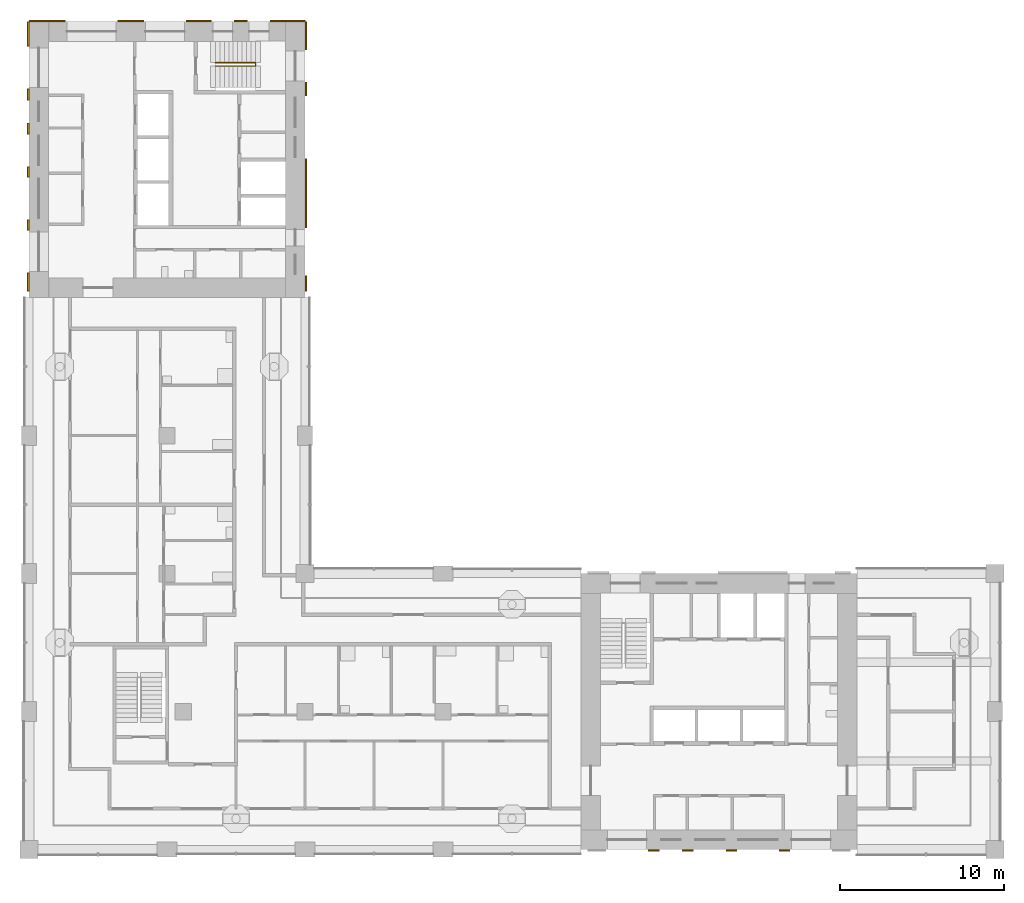
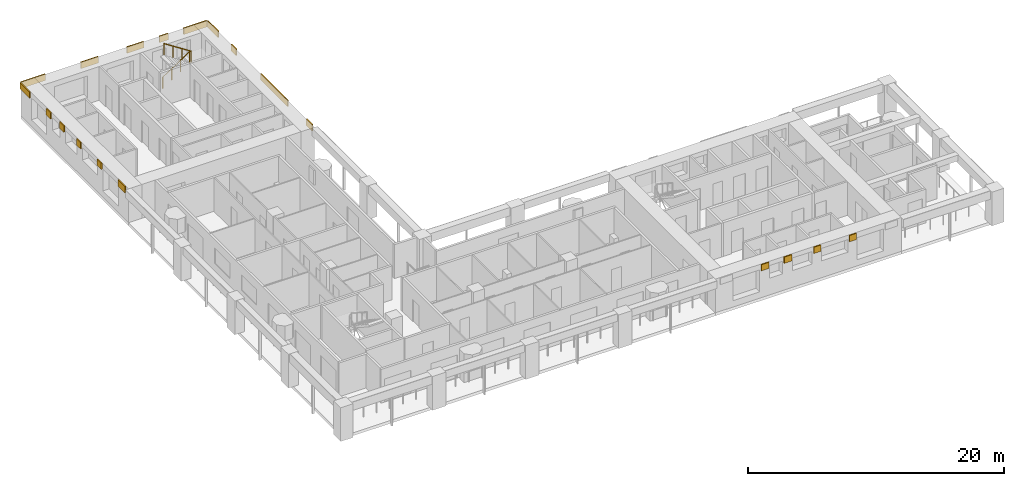
# One storey, part 10 of 13: 19 shading devices, 1 railing.
"""IFC4 building model written with IfcOpenShell, lengths in metres."""

from ifc_helpers import new_model, si_unit, direction, frame, origin, origin_2d, place, context, subcontext, project, spatial, rectangle, circle, extrude, material, layer, layer_set, type_object, element, save


model = new_model("IFC4")

# Units and contexts
model_context = context("Model", 3, precision=1e-05, world=origin(), true_north=direction((0.0, 1.0)))
body_context = subcontext(model_context, "Body", "Model", "MODEL_VIEW")
ifc_project = project(units=[si_unit("LENGTHUNIT", "METRE"), si_unit("AREAUNIT", "SQUARE_METRE"), si_unit("VOLUMEUNIT", "CUBIC_METRE"), si_unit("PLANEANGLEUNIT", "RADIAN"), si_unit("MASSUNIT", "GRAM", prefix="KILO")], contexts=[model_context])

# Site, building, storey
site_placement = place(None, origin())
site = spatial("IfcSite", under=ifc_project, at=site_placement, CompositionType="ELEMENT")
building_placement = place(site_placement, origin())
building = spatial("IfcBuilding", under=site, at=building_placement, Name="Vermilion Gate Residences", CompositionType="ELEMENT")
storey_placement = place(building_placement, frame((0.0, 0.0, 151.199951171875)))
storey = spatial("IfcBuildingStorey", under=building, at=storey_placement, Name="L38", CompositionType="ELEMENT", Elevation=151.199951171875)

# Railing
ifc_material_1 = material(Name="Steel S355", Category="steel")
railing_type = type_object("IfcRailingType", Name="STAIR GUARD 1100 STEEL", PredefinedType="GUARDRAIL", material=ifc_material_1)
railing_placement = place(storey_placement, frame((19.75, 56.300048828125, 0.175048828125)))
element("IfcRailing", 1, at=railing_placement, inside=storey, type_object=railing_type, Name="Stair well guard STB1-38", PredefinedType="GUARDRAIL", context=body_context, shape_type="SweptSolid", body=[
    extrude(circle(Radius=0.02392578125, at=origin_2d()), frame((0.0, 0.0, 1.076171875), z_axis=(0.839153699163, 0.0, 0.543894354798), x_axis=(0.0, 1.0, 0.0)), (0.0, 0.0, 1.0), 2.895751953125),
    extrude(circle(Radius=0.02392578125, at=origin_2d()), frame((2.429931640625, 0.0, 2.65087890625), z_axis=(0.0, -0.752405939678, 0.658699705433), x_axis=(1.0, 0.0, 0.0)), (0.0, 0.0, 1.0), 0.265869140625),
    extrude(circle(Radius=0.02392578125, at=origin_2d()), frame((2.429931640625, -0.199951171875, 2.826171875), z_axis=(-0.839153699163, 0.0, 0.543894354798), x_axis=(0.0, -1.0, 0.0)), (0.0, 0.0, 1.0), 2.895751953125),
    extrude(circle(Radius=0.02099609375, at=origin_2d()), origin(), (0.0, 0.0, 1.0), 1.052001953125),
    extrude(circle(Radius=0.02099609375, at=origin_2d()), frame((0.81005859375, 0.0, 0.52490234375)), (0.0, 0.0, 1.0), 1.052001953125),
    extrude(circle(Radius=0.02099609375, at=origin_2d()), frame((1.619873046875, 0.0, 1.050048828125)), (0.0, 0.0, 1.0), 1.052001953125),
    extrude(circle(Radius=0.02099609375, at=origin_2d()), frame((2.429931640625, 0.0, 1.574951171875)), (0.0, 0.0, 1.0), 1.052001953125),
    extrude(circle(Radius=0.02099609375, at=origin_2d()), frame((2.429931640625, -0.199951171875, 1.75)), (0.0, 0.0, 1.0), 1.052001953125),
    extrude(circle(Radius=0.02099609375, at=origin_2d()), frame((1.619873046875, -0.199951171875, 2.27490234375)), (0.0, 0.0, 1.0), 1.052001953125),
    extrude(circle(Radius=0.02099609375, at=origin_2d()), frame((0.81005859375, -0.199951171875, 2.800048828125)), (0.0, 0.0, 1.0), 1.052001953125),
    extrude(circle(Radius=0.02099609375, at=origin_2d()), frame((0.0, -0.199951171875, 3.324951171875)), (0.0, 0.0, 1.0), 1.052001953125),
])

# Shading devices
ifc_material_2 = material(Name="Extruded terracotta", Category="masonry")
ifc_layer = layer(ifc_material_2, 0.10009765625)
ifc_layer_set = layer_set([ifc_layer], Name="TERRACOTTA SPANDREL BAND 600 X 100")
shading_device_type = type_object("IfcShadingDeviceType", Name="TERRACOTTA SPANDREL BAND 600 X 100", PredefinedType="USERDEFINED", material=ifc_layer_set)
shading_device_1_placement = place(storey_placement, frame((46.4375, 8.35009765625, 2.6201171875), z_axis=(0.0, 0.0, 1.0), x_axis=(1.0, 0.0, 0.0)))
element("IfcShadingDevice", 2, at=shading_device_1_placement, inside=storey, type_object=shading_device_type, Name="SPANDREL BAND", ObjectType="BAND", PredefinedType="USERDEFINED", context=body_context, shape_type="SweptSolid", body=[
    extrude(rectangle(XDim=0.675048828125, YDim=0.10009765625, at=origin_2d()), origin(), (0.0, 0.0, 1.0), 0.60009765625),
])
shading_device_2_placement = place(storey_placement, frame((48.510009765625, 8.35009765625, 2.6201171875), z_axis=(0.0, 0.0, 1.0), x_axis=(1.0, 0.0, 0.0)))
element("IfcShadingDevice", 3, at=shading_device_2_placement, inside=storey, type_object=shading_device_type, Name="SPANDREL BAND", ObjectType="BAND", PredefinedType="USERDEFINED", context=body_context, shape_type="SweptSolid", body=[
    extrude(rectangle(XDim=0.669921875, YDim=0.10009765625, at=origin_2d()), origin(), (0.0, 0.0, 1.0), 0.60009765625),
])
shading_device_3_placement = place(storey_placement, frame((51.157470703125, 8.35009765625, 2.6201171875), z_axis=(0.0, 0.0, 1.0), x_axis=(1.0, 0.0, 0.0)))
element("IfcShadingDevice", 4, at=shading_device_3_placement, inside=storey, type_object=shading_device_type, Name="SPANDREL BAND", ObjectType="BAND", PredefinedType="USERDEFINED", context=body_context, shape_type="SweptSolid", body=[
    extrude(rectangle(XDim=0.625, YDim=0.10009765625, at=origin_2d()), origin(), (0.0, 0.0, 1.0), 0.60009765625),
])
shading_device_4_placement = place(storey_placement, frame((54.385009765625, 8.35009765625, 2.6201171875), z_axis=(0.0, 0.0, 1.0), x_axis=(1.0, 0.0, 0.0)))
element("IfcShadingDevice", 5, at=shading_device_4_placement, inside=storey, type_object=shading_device_type, Name="SPANDREL BAND", ObjectType="BAND", PredefinedType="USERDEFINED", context=body_context, shape_type="SweptSolid", body=[
    extrude(rectangle(XDim=0.6298828125, YDim=0.10009765625, at=origin_2d()), origin(), (0.0, 0.0, 1.0), 0.60009765625),
])
shading_device_5_placement = place(storey_placement, frame((9.50244140625, 58.85009765625, 2.6201171875), z_axis=(0.0, 0.0, 1.0), x_axis=(1.0, 0.0, 0.0)))
element("IfcShadingDevice", 6, at=shading_device_5_placement, inside=storey, type_object=shading_device_type, Name="SPANDREL BAND", ObjectType="BAND", PredefinedType="USERDEFINED", context=body_context, shape_type="SweptSolid", body=[
    extrude(rectangle(XDim=2.205078125, YDim=0.10009765625, at=origin_2d()), origin(), (0.0, 0.0, 1.0), 0.60009765625),
])
shading_device_6_placement = place(storey_placement, frame((14.590087890625, 58.85009765625, 2.6201171875), z_axis=(0.0, 0.0, 1.0), x_axis=(1.0, 0.0, 0.0)))
element("IfcShadingDevice", 7, at=shading_device_6_placement, inside=storey, type_object=shading_device_type, Name="SPANDREL BAND", ObjectType="BAND", PredefinedType="USERDEFINED", context=body_context, shape_type="SweptSolid", body=[
    extrude(rectangle(XDim=1.570068359375, YDim=0.10009765625, at=origin_2d()), origin(), (0.0, 0.0, 1.0), 0.60009765625),
])
shading_device_7_placement = place(storey_placement, frame((18.734130859375, 58.85009765625, 2.6201171875), z_axis=(0.0, 0.0, 1.0), x_axis=(1.0, 0.0, 0.0)))
element("IfcShadingDevice", 8, at=shading_device_7_placement, inside=storey, type_object=shading_device_type, Name="SPANDREL BAND", ObjectType="BAND", PredefinedType="USERDEFINED", context=body_context, shape_type="SweptSolid", body=[
    extrude(rectangle(XDim=1.518310546875, YDim=0.10009765625, at=origin_2d()), origin(), (0.0, 0.0, 1.0), 0.60009765625),
])
shading_device_8_placement = place(storey_placement, frame((21.294921875, 58.85009765625, 2.6201171875), z_axis=(0.0, 0.0, 1.0), x_axis=(1.0, 0.0, 0.0)))
element("IfcShadingDevice", 9, at=shading_device_8_placement, inside=storey, type_object=shading_device_type, Name="SPANDREL BAND", ObjectType="BAND", PredefinedType="USERDEFINED", context=body_context, shape_type="SweptSolid", body=[
    extrude(rectangle(XDim=0.803466796875, YDim=0.10009765625, at=origin_2d()), origin(), (0.0, 0.0, 1.0), 0.60009765625),
])
shading_device_9_placement = place(storey_placement, frame((24.1484375, 58.85009765625, 2.6201171875), z_axis=(0.0, 0.0, 1.0), x_axis=(1.0, 0.0, 0.0)))
element("IfcShadingDevice", 10, at=shading_device_9_placement, inside=storey, type_object=shading_device_type, Name="SPANDREL BAND", ObjectType="BAND", PredefinedType="USERDEFINED", context=body_context, shape_type="SweptSolid", body=[
    extrude(rectangle(XDim=2.103271484375, YDim=0.10009765625, at=origin_2d()), origin(), (0.0, 0.0, 1.0), 0.60009765625),
])
shading_device_10_placement = place(storey_placement, frame((8.35009765625, 42.949951171875, 2.6201171875), z_axis=(0.0, 0.0, 1.0), x_axis=(0.0, 1.0, 0.0)))
element("IfcShadingDevice", 11, at=shading_device_10_placement, inside=storey, type_object=shading_device_type, Name="SPANDREL BAND", ObjectType="BAND", PredefinedType="USERDEFINED", context=body_context, shape_type="SweptSolid", body=[
    extrude(rectangle(XDim=1.10009765625, YDim=0.10009765625, at=origin_2d()), origin(), (0.0, 0.0, 1.0), 0.60009765625),
])
shading_device_11_placement = place(storey_placement, frame((8.35009765625, 46.4150390625, 2.6201171875), z_axis=(0.0, 0.0, 1.0), x_axis=(0.0, 1.0, 0.0)))
element("IfcShadingDevice", 12, at=shading_device_11_placement, inside=storey, type_object=shading_device_type, Name="SPANDREL BAND", ObjectType="BAND", PredefinedType="USERDEFINED", context=body_context, shape_type="SweptSolid", body=[
    extrude(rectangle(XDim=0.6298828125, YDim=0.10009765625, at=origin_2d()), origin(), (0.0, 0.0, 1.0), 0.60009765625),
])
shading_device_12_placement = place(storey_placement, frame((8.35009765625, 49.642578125, 2.6201171875), z_axis=(0.0, 0.0, 1.0), x_axis=(0.0, 1.0, 0.0)))
element("IfcShadingDevice", 13, at=shading_device_12_placement, inside=storey, type_object=shading_device_type, Name="SPANDREL BAND", ObjectType="BAND", PredefinedType="USERDEFINED", context=body_context, shape_type="SweptSolid", body=[
    extrude(rectangle(XDim=0.625, YDim=0.10009765625, at=origin_2d()), origin(), (0.0, 0.0, 1.0), 0.60009765625),
])
shading_device_13_placement = place(storey_placement, frame((8.35009765625, 52.2900390625, 2.6201171875), z_axis=(0.0, 0.0, 1.0), x_axis=(0.0, 1.0, 0.0)))
element("IfcShadingDevice", 14, at=shading_device_13_placement, inside=storey, type_object=shading_device_type, Name="SPANDREL BAND", ObjectType="BAND", PredefinedType="USERDEFINED", context=body_context, shape_type="SweptSolid", body=[
    extrude(rectangle(XDim=0.669921875, YDim=0.10009765625, at=origin_2d()), origin(), (0.0, 0.0, 1.0), 0.60009765625),
])
shading_device_14_placement = place(storey_placement, frame((8.35009765625, 54.362548828125, 2.6201171875), z_axis=(0.0, 0.0, 1.0), x_axis=(0.0, 1.0, 0.0)))
element("IfcShadingDevice", 15, at=shading_device_14_placement, inside=storey, type_object=shading_device_type, Name="SPANDREL BAND", ObjectType="BAND", PredefinedType="USERDEFINED", context=body_context, shape_type="SweptSolid", body=[
    extrude(rectangle(XDim=0.675048828125, YDim=0.10009765625, at=origin_2d()), origin(), (0.0, 0.0, 1.0), 0.60009765625),
])
shading_device_15_placement = place(storey_placement, frame((8.35009765625, 58.050048828125, 2.6201171875), z_axis=(0.0, 0.0, 1.0), x_axis=(0.0, 1.0, 0.0)))
element("IfcShadingDevice", 16, at=shading_device_15_placement, inside=storey, type_object=shading_device_type, Name="SPANDREL BAND", ObjectType="BAND", PredefinedType="USERDEFINED", context=body_context, shape_type="SweptSolid", body=[
    extrude(rectangle(XDim=1.5, YDim=0.10009765625, at=origin_2d()), origin(), (0.0, 0.0, 1.0), 0.60009765625),
])
shading_device_16_placement = place(storey_placement, frame((25.25, 42.862548828125, 2.6201171875), z_axis=(0.0, 0.0, 1.0), x_axis=(0.0, 1.0, 0.0)))
element("IfcShadingDevice", 17, at=shading_device_16_placement, inside=storey, type_object=shading_device_type, Name="SPANDREL BAND", ObjectType="BAND", PredefinedType="USERDEFINED", context=body_context, shape_type="SweptSolid", body=[
    extrude(rectangle(XDim=0.925048828125, YDim=0.10009765625, at=origin_2d()), origin(), (0.0, 0.0, 1.0), 0.60009765625),
])
shading_device_17_placement = place(storey_placement, frame((25.25, 48.35009765625, 2.6201171875), z_axis=(0.0, 0.0, 1.0), x_axis=(0.0, 1.0, 0.0)))
element("IfcShadingDevice", 18, at=shading_device_17_placement, inside=storey, type_object=shading_device_type, Name="SPANDREL BAND", ObjectType="BAND", PredefinedType="USERDEFINED", context=body_context, shape_type="SweptSolid", body=[
    extrude(rectangle(XDim=4.199951171875, YDim=0.10009765625, at=origin_2d()), origin(), (0.0, 0.0, 1.0), 0.60009765625),
])
shading_device_18_placement = place(storey_placement, frame((25.25, 54.6875, 2.6201171875), z_axis=(0.0, 0.0, 1.0), x_axis=(0.0, 1.0, 0.0)))
element("IfcShadingDevice", 19, at=shading_device_18_placement, inside=storey, type_object=shading_device_type, Name="SPANDREL BAND", ObjectType="BAND", PredefinedType="USERDEFINED", context=body_context, shape_type="SweptSolid", body=[
    extrude(rectangle(XDim=0.824951171875, YDim=0.10009765625, at=origin_2d()), origin(), (0.0, 0.0, 1.0), 0.60009765625),
])
shading_device_19_placement = place(storey_placement, frame((25.25, 57.949951171875, 2.6201171875), z_axis=(0.0, 0.0, 1.0), x_axis=(0.0, 1.0, 0.0)))
element("IfcShadingDevice", 20, at=shading_device_19_placement, inside=storey, type_object=shading_device_type, Name="SPANDREL BAND", ObjectType="BAND", PredefinedType="USERDEFINED", context=body_context, shape_type="SweptSolid", body=[
    extrude(rectangle(XDim=1.699951171875, YDim=0.10009765625, at=origin_2d()), origin(), (0.0, 0.0, 1.0), 0.60009765625),
])

save(model, "model.ifc")
